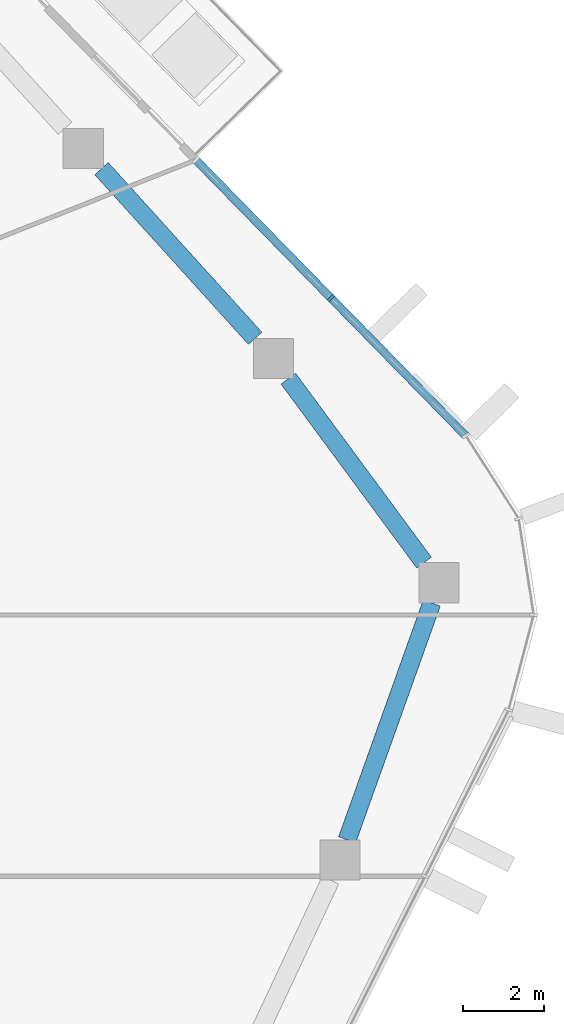
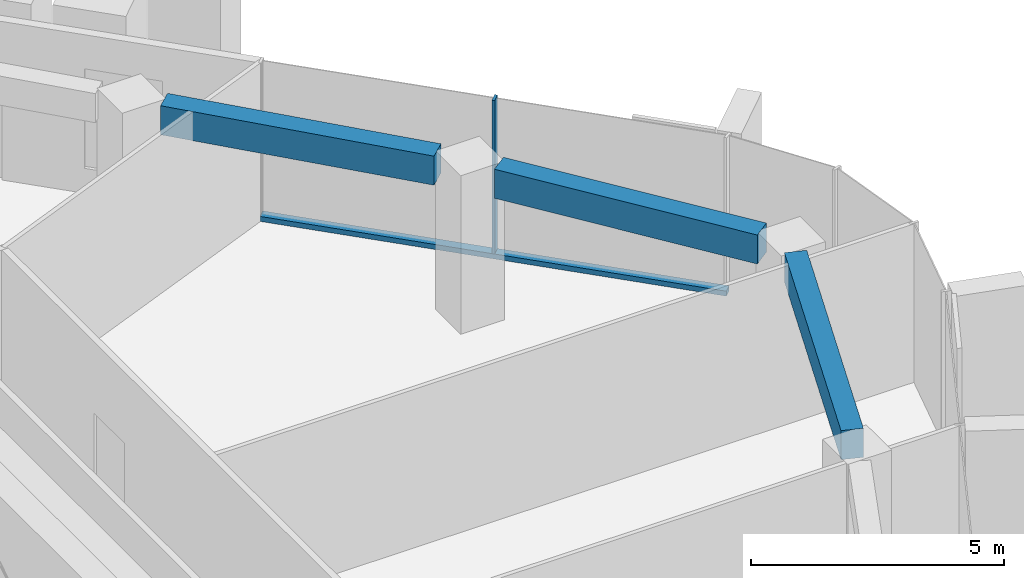
# One storey, part 8 of 23: 3 beams, 2 members, 1 element without a shape of its own.
"""IFC4 building model written with IfcOpenShell, lengths in metres."""

from ifc_helpers import new_model, si_unit, direction, frame, origin, origin_2d, place, context, subcontext, project, spatial, rectangle, extrude, material, layer, layer_set, material_profile, profile_set, type_object, element, aggregate, save


model = new_model("IFC4")

# Units and contexts
model_context = context("Model", 3, precision=1e-05, world=origin(), true_north=direction((0.0, 1.0)))
body_context = subcontext(model_context, "Body", "Model", "MODEL_VIEW")
ifc_project = project(units=[si_unit("LENGTHUNIT", "METRE"), si_unit("AREAUNIT", "SQUARE_METRE"), si_unit("VOLUMEUNIT", "CUBIC_METRE"), si_unit("PLANEANGLEUNIT", "RADIAN"), si_unit("MASSUNIT", "GRAM", prefix="KILO")], contexts=[model_context])

# Site, building, storey
site_placement = place(None, origin())
site = spatial("IfcSite", under=ifc_project, at=site_placement, CompositionType="ELEMENT")
building_placement = place(site_placement, origin())
building = spatial("IfcBuilding", under=site, at=building_placement, Name="Dongbaek Canopy Tower", CompositionType="ELEMENT")
storey_placement = place(building_placement, frame((0.0, 0.0, 315.199951171875)))
storey = spatial("IfcBuildingStorey", under=building, at=storey_placement, Name="L67", CompositionType="ELEMENT", Elevation=315.199951171875)

# Curtain wall, members
ifc_material_1 = material(Name="Aluminium 6063-T6 pale anodised", Category="aluminium")
ifc_layer = layer(ifc_material_1, 0.199951171875)
ifc_layer_set = layer_set([ifc_layer], Name="CW-1 unitised tower curtain wall")
curtain_wall_type = type_object("IfcCurtainWallType", Name="CW-1 unitised tower curtain wall", PredefinedType="NOTDEFINED", material=ifc_layer_set)
curtain_wall_placement = place(storey_placement, origin())
curtain_wall = element("IfcCurtainWall", 1, at=curtain_wall_placement, inside=storey, type_object=curtain_wall_type, Name="CW-1 curtain wall F0.1", PredefinedType="NOTDEFINED")
ifc_material_2 = material(Name="Aluminium 6063-T6 pale anodised", Category="aluminium")
ifc_material_profile_1 = material_profile(ifc_material_2, rectangle(XDim=0.199951171875, YDim=0.06005859375, at=origin_2d()), Name="CW-1 mullion 60 x 200")
ifc_profile_set_1 = profile_set([ifc_material_profile_1], Name="Aluminium 6063-T6 pale anodised")
member_type_1 = type_object("IfcMemberType", Name="CW-1 mullion 60 x 200", PredefinedType="MULLION", material=ifc_profile_set_1)
member_1_placement = place(storey_placement, frame((28.13037109375, 13.75537109375, 0.1201171875), z_axis=(0.0, 0.0, 1.0), x_axis=(0.714780141035, 0.699349233203, 0.0)))
member_1 = element("IfcMember", 2, at=member_1_placement, type_object=member_type_1, Name="CW-1 mullion F0.1.2", PredefinedType="MULLION", context=body_context, shape_type="SweptSolid", body=[
    extrude(rectangle(XDim=0.199951171875, YDim=0.06005859375, at=origin_2d()), origin(), (0.0, 0.0, 1.0), 3.699951171875),
])
ifc_material_3 = material(Name="Aluminium 6063-T6 pale anodised", Category="aluminium")
ifc_material_profile_2 = material_profile(ifc_material_3, rectangle(XDim=0.199951171875, YDim=0.1201171875, at=origin_2d()), Name="CW-1 transom 120 x 200")
ifc_profile_set_2 = profile_set([ifc_material_profile_2], Name="Aluminium 6063-T6 pale anodised")
member_type_2 = type_object("IfcMemberType", Name="CW-1 transom 120 x 200", PredefinedType="USERDEFINED", material=ifc_profile_set_2)
member_2_placement = place(storey_placement, frame((31.470947265625, 10.3408203125, 0.06005859375), z_axis=(-0.699342925573, 0.714786312439, 0.0), x_axis=(-0.714786312439, -0.699342925573, 0.0)))
member_2 = element("IfcMember", 3, at=member_2_placement, type_object=member_type_2, Name="CW-1 transom F0.1.1", ObjectType="TRANSOM", PredefinedType="USERDEFINED", context=body_context, shape_type="SweptSolid", body=[
    extrude(rectangle(XDim=0.199951171875, YDim=0.1201171875, at=origin_2d()), origin(), (0.0, 0.0, 1.0), 9.564208984375),
])
aggregate(curtain_wall, [member_1, member_2])

# Beams
ifc_material_4 = material(Name="Concrete C60", Category="concrete")
ifc_material_profile_3 = material_profile(ifc_material_4, rectangle(XDim=0.449951171875, YDim=0.699951171875, at=origin_2d()), Name="RC EDGE BEAM 450x700 C60")
ifc_profile_set_3 = profile_set([ifc_material_profile_3], Name="Concrete C60")
beam_type = type_object("IfcBeamType", Name="RC EDGE BEAM 450x700 C60", PredefinedType="BEAM", material=ifc_profile_set_3)
beam_1_placement = place(storey_placement, frame((22.442626953125, 16.9619140625, 3.469970703125), z_axis=(0.671227680473, -0.741251240112, 0.0), x_axis=(0.741251240112, 0.671227680473, 0.0)))
element("IfcBeam", 4, at=beam_1_placement, inside=storey, type_object=beam_type, Name="EDGEBEAM:L67:19", PredefinedType="BEAM", context=body_context, shape_type="SweptSolid", body=[
    extrude(rectangle(XDim=0.449951171875, YDim=0.699951171875, at=origin_2d()), origin(), (0.0, 0.0, 1.0), 5.672607421875),
])
beam_2_placement = place(storey_placement, frame((27.072021484375, 11.757080078125, 3.469970703125), z_axis=(0.593735402363, -0.804660345724, 0.0), x_axis=(0.804660345724, 0.593735402363, 0.0)))
element("IfcBeam", 5, at=beam_2_placement, inside=storey, type_object=beam_type, Name="EDGEBEAM:L67:20", PredefinedType="BEAM", context=body_context, shape_type="SweptSolid", body=[
    extrude(rectangle(XDim=0.449951171875, YDim=0.699951171875, at=origin_2d()), origin(), (0.0, 0.0, 1.0), 5.665771484375),
])
beam_3_placement = place(storey_placement, frame((30.626220703125, 6.197998046875, 3.469970703125), z_axis=(-0.336443121865, -0.941703788752, 0.0), x_axis=(0.941703788752, -0.336443121865, 0.0)))
element("IfcBeam", 6, at=beam_3_placement, inside=storey, type_object=beam_type, Name="EDGEBEAM:L67:21", PredefinedType="BEAM", context=body_context, shape_type="SweptSolid", body=[
    extrude(rectangle(XDim=0.449951171875, YDim=0.699951171875, at=origin_2d()), origin(), (0.0, 0.0, 1.0), 6.231201171875),
])

save(model, "model.ifc")
